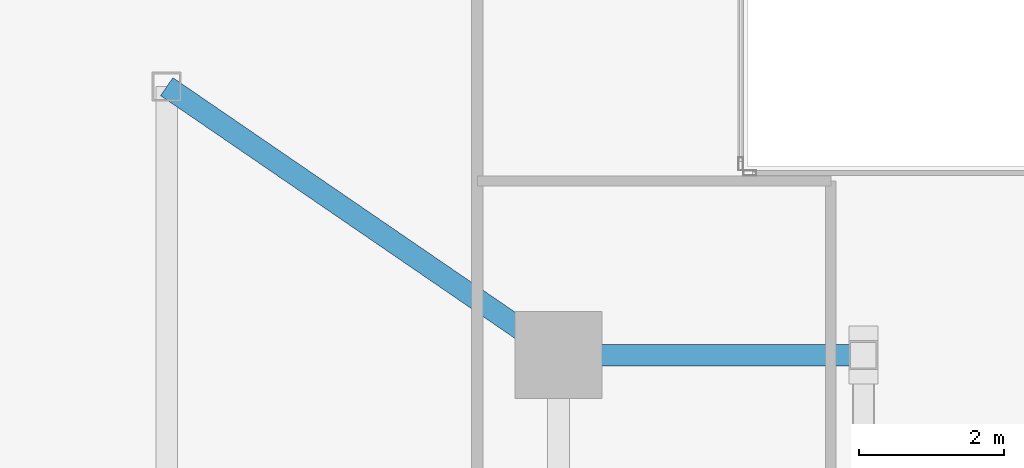
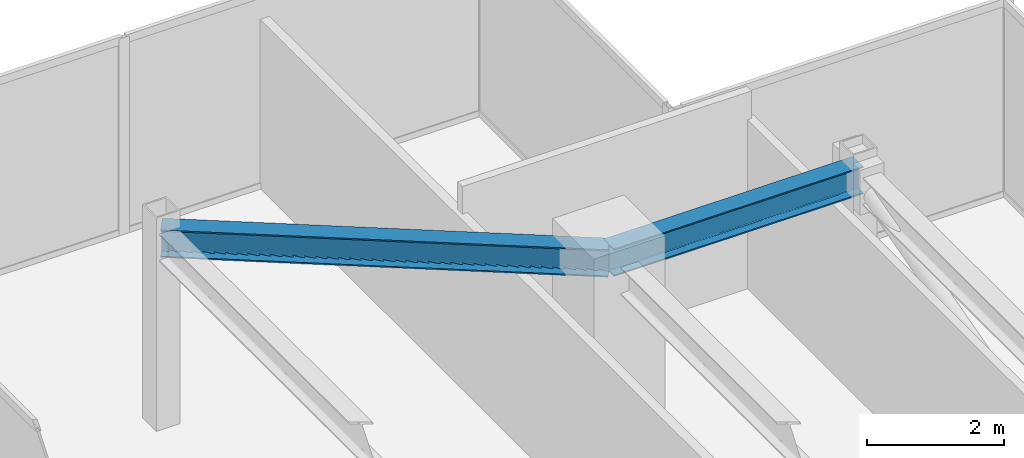
# One storey, part 15 of 25: 2 beams.
"""IFC4 building model written with IfcOpenShell, lengths in metres."""

from ifc_helpers import new_model, si_unit, direction, frame, origin, origin_2d, place, context, subcontext, project, spatial, i_section, extrude, source, transform, mapped, material, material_profile, profile_set, type_object, type_shapes, element, save


model = new_model("IFC4")

# Units and contexts
model_context = context("Model", 3, precision=1e-05, world=origin(), true_north=direction((0.0, 1.0)))
body_context = subcontext(model_context, "Body", "Model", "MODEL_VIEW")
ifc_project = project(units=[si_unit("LENGTHUNIT", "METRE"), si_unit("AREAUNIT", "SQUARE_METRE"), si_unit("VOLUMEUNIT", "CUBIC_METRE"), si_unit("PLANEANGLEUNIT", "RADIAN"), si_unit("MASSUNIT", "GRAM", prefix="KILO")], contexts=[model_context])

# Site, building, storey
site_placement = place(None, origin())
site = spatial("IfcSite", under=ifc_project, at=site_placement, CompositionType="ELEMENT")
building_placement = place(site_placement, origin())
building = spatial("IfcBuilding", under=site, at=building_placement, Name="Krantzveldt Concourse Tower", CompositionType="ELEMENT")
storey_placement = place(building_placement, frame((0.0, 0.0, 370.85009765625)))
storey = spatial("IfcBuildingStorey", under=building, at=storey_placement, Name="L91", CompositionType="ELEMENT", Elevation=370.85009765625)

# Beams
ifc_material = material(Name="Steel S355JR", Category="steel")
ifc_material_profile = material_profile(ifc_material, i_section(OverallWidth=0.300048828125, OverallDepth=0.489990234375, WebThickness=0.011962890625, FlangeThickness=0.02294921875, FilletRadius=0.027099609375, at=origin_2d()), Name="Steel S355JR", Category="steel")
ifc_profile_set = profile_set([ifc_material_profile], Name="Steel S355JR - HEA 500")
beam_type = type_object("IfcBeamType", Name="BM-B-HEA500", PredefinedType="BEAM", material=ifc_profile_set)
shared_shape_1 = source(origin(), body_context, "Body", "SweptSolid", [
    extrude(i_section(OverallWidth=0.300048828125, OverallDepth=0.489990234375, WebThickness=0.011962890625, FlangeThickness=0.02294921875, FilletRadius=0.027099609375, at=origin_2d()), origin(), (0.0, 0.0, 1.0), 4.199951171875),
])
beam_1_placement = place(storey_placement, frame((51.0, 37.5, 3.2548828125), z_axis=(-1.0, 0.0, 0.0), x_axis=(0.0, -1.0, 0.0)))
element("IfcBeam", 1, at=beam_1_placement, inside=storey, type_object=beam_type, Name="L91 Crown Girder EAST-3", PredefinedType="BEAM", context=body_context, shape_type="MappedRepresentation", body=[
    mapped(shared_shape_1, transform((0.0, 0.0, 0.0), x_axis=(1.0, 0.0, 0.0), y_axis=(0.0, 1.0, 0.0), z_axis=(0.0, 0.0, 1.0), scale=1.0)),
])
shared_shape_2 = source(origin(), body_context, "Body", "SweptSolid", [
    extrude(i_section(OverallWidth=0.300048828125, OverallDepth=0.489990234375, WebThickness=0.011962890625, FlangeThickness=0.02294921875, FilletRadius=0.027099609375, at=origin_2d()), origin(), (0.0, 0.0, 1.0), 6.546142578125),
])
type_shapes(beam_type, [shared_shape_1, shared_shape_2])
beam_2_placement = place(storey_placement, frame((46.800048828125, 37.5, 3.2548828125), z_axis=(-0.824942999484, 0.565215930068, 0.0), x_axis=(-0.565215930068, -0.824942999484, 0.0)))
element("IfcBeam", 2, at=beam_2_placement, inside=storey, type_object=beam_type, Name="L91 Crown Girder EAST-4", PredefinedType="BEAM", context=body_context, shape_type="MappedRepresentation", body=[
    mapped(shared_shape_2, transform((0.0, 0.0, 0.0), x_axis=(1.0, 0.0, 0.0), y_axis=(0.0, 1.0, 0.0), z_axis=(0.0, 0.0, 1.0), scale=1.0)),
])

save(model, "model.ifc")
